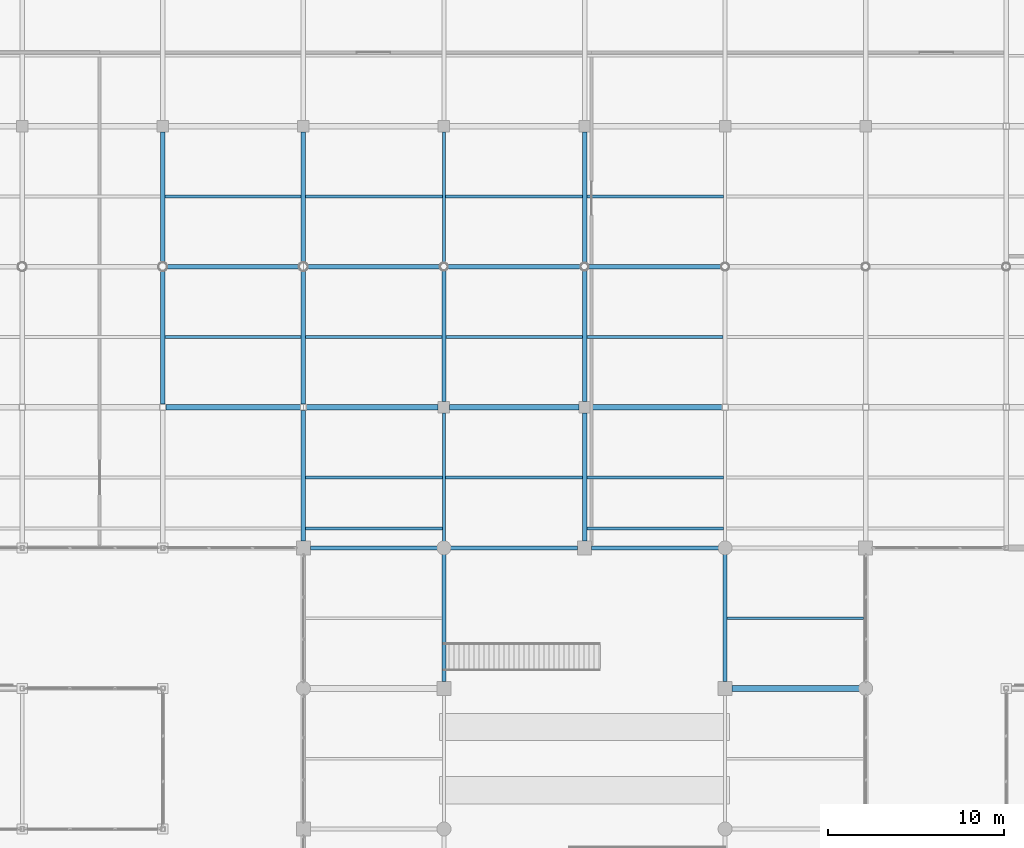
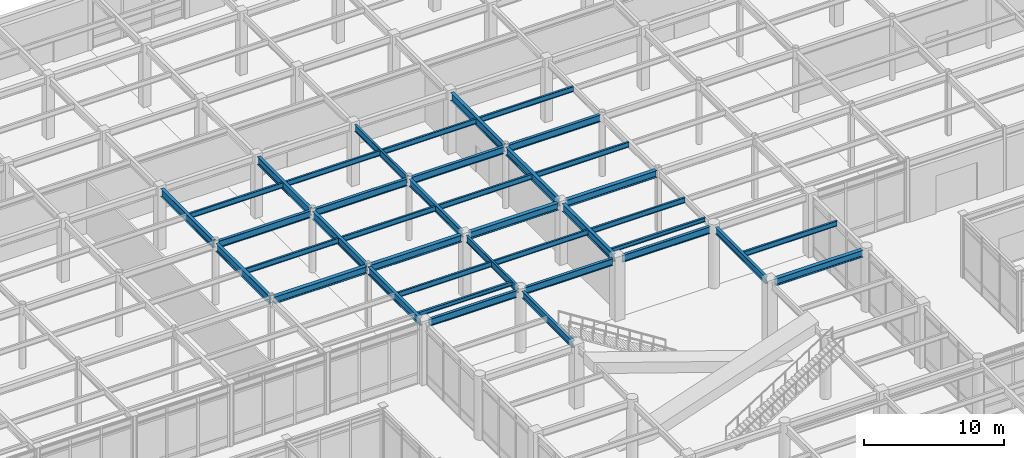
# One storey, part 69 of 128: 39 beams.
"""IFC4 building model written with IfcOpenShell, lengths in metres."""

from ifc_helpers import new_model, si_unit, direction, frame, origin, origin_2d, place, context, subcontext, project, spatial, i_section, extrude, material, material_profile, profile_set, type_object, element, save


model = new_model("IFC4")

# Units and contexts
model_context = context("Model", 3, precision=1e-05, world=origin(), true_north=direction((0.0, 1.0)))
body_context = subcontext(model_context, "Body", "Model", "MODEL_VIEW")
ifc_project = project(units=[si_unit("LENGTHUNIT", "METRE"), si_unit("AREAUNIT", "SQUARE_METRE"), si_unit("VOLUMEUNIT", "CUBIC_METRE"), si_unit("PLANEANGLEUNIT", "RADIAN"), si_unit("MASSUNIT", "GRAM", prefix="KILO")], contexts=[model_context])

# Site, building, storey
site_placement = place(None, origin())
site = spatial("IfcSite", under=ifc_project, at=site_placement, CompositionType="ELEMENT")
building_placement = place(site_placement, origin())
building = spatial("IfcBuilding", under=site, at=building_placement, Name="Solmirada Galleria", CompositionType="ELEMENT")
storey_placement = place(building_placement, origin())
storey = spatial("IfcBuildingStorey", under=building, at=storey_placement, Name="L00", CompositionType="ELEMENT", Elevation=0.0)

# Beams
ifc_material = material(Name="Steel S355 / ASTM A992 Grade 50", Category="steel")
ifc_material_profile_1 = material_profile(ifc_material, i_section(OverallWidth=0.323974609375, OverallDepth=0.611083984375, WebThickness=0.0126953125, FlangeThickness=0.01904296875, FilletRadius=0.014892578125, at=origin_2d()), Name="W24X104")
ifc_profile_set_1 = profile_set([ifc_material_profile_1], Name="Steel S355 / ASTM A992 Grade 50")
beam_type_1 = type_object("IfcBeamType", Name="BM-GIRD-W24A", PredefinedType="BEAM", material=ifc_profile_set_1)
beam_1_placement = place(storey_placement, frame((72.177978515625, 80.0, 5.074462890625), z_axis=(1.0, 0.0, 0.0), x_axis=(0.0, 1.0, 0.0)))
element("IfcBeam", 1, at=beam_1_placement, inside=storey, type_object=beam_type_1, Name="Primary beam L01 X(72..80, 80)", PredefinedType="BEAM", context=body_context, shape_type="SweptSolid", body=[
    extrude(i_section(OverallWidth=0.323974609375, OverallDepth=0.611083984375, WebThickness=0.0126953125, FlangeThickness=0.01904296875, FilletRadius=0.014892578125, at=origin_2d()), origin(), (0.0, 0.0, 1.0), 7.64404296875),
])
beam_2_placement = place(storey_placement, frame((80.177978515625, 80.0, 5.074462890625), z_axis=(1.0, 0.0, 0.0), x_axis=(0.0, 1.0, 0.0)))
element("IfcBeam", 2, at=beam_2_placement, inside=storey, type_object=beam_type_1, Name="Primary beam L01 X(80..88, 80)", PredefinedType="BEAM", context=body_context, shape_type="SweptSolid", body=[
    extrude(i_section(OverallWidth=0.323974609375, OverallDepth=0.611083984375, WebThickness=0.0126953125, FlangeThickness=0.01904296875, FilletRadius=0.014892578125, at=origin_2d()), origin(), (0.0, 0.0, 1.0), 7.4970703125),
])
beam_3_placement = place(storey_placement, frame((88.324951171875, 80.0, 5.074462890625), z_axis=(1.0, 0.0, 0.0), x_axis=(0.0, 1.0, 0.0)))
element("IfcBeam", 3, at=beam_3_placement, inside=storey, type_object=beam_type_1, Name="Primary beam L01 X(88..96, 80)", PredefinedType="BEAM", context=body_context, shape_type="SweptSolid", body=[
    extrude(i_section(OverallWidth=0.323974609375, OverallDepth=0.611083984375, WebThickness=0.0126953125, FlangeThickness=0.01904296875, FilletRadius=0.014892578125, at=origin_2d()), origin(), (0.0, 0.0, 1.0), 7.35009765625),
])
beam_4_placement = place(storey_placement, frame((96.324951171875, 80.0, 5.074462890625), z_axis=(1.0, 0.0, 0.0), x_axis=(0.0, 1.0, 0.0)))
element("IfcBeam", 4, at=beam_4_placement, inside=storey, type_object=beam_type_1, Name="Primary beam L01 X(96..104, 80)", PredefinedType="BEAM", context=body_context, shape_type="SweptSolid", body=[
    extrude(i_section(OverallWidth=0.323974609375, OverallDepth=0.611083984375, WebThickness=0.0126953125, FlangeThickness=0.01904296875, FilletRadius=0.014892578125, at=origin_2d()), origin(), (0.0, 0.0, 1.0), 7.4970703125),
])
beam_5_placement = place(storey_placement, frame((104.39990234375, 64.0, 5.074462890625), z_axis=(1.0, 0.0, 0.0), x_axis=(0.0, 1.0, 0.0)))
element("IfcBeam", 5, at=beam_5_placement, inside=storey, type_object=beam_type_1, Name="Primary beam L01 X(104..112, 64)", PredefinedType="BEAM", context=body_context, shape_type="SweptSolid", body=[
    extrude(i_section(OverallWidth=0.323974609375, OverallDepth=0.611083984375, WebThickness=0.0126953125, FlangeThickness=0.01904296875, FilletRadius=0.014892578125, at=origin_2d()), origin(), (0.0, 0.0, 1.0), 7.26416015625),
])
ifc_material_profile_2 = material_profile(ifc_material, i_section(OverallWidth=0.22900390625, OverallDepth=0.612060546875, WebThickness=0.011962890625, FlangeThickness=0.01953125, FilletRadius=0.014892578125, at=origin_2d()), Name="W24X84")
ifc_profile_set_2 = profile_set([ifc_material_profile_2], Name="Steel S355 / ASTM A992 Grade 50")
beam_type_2 = type_object("IfcBeamType", Name="BM-GIRD-W24B", PredefinedType="BEAM", material=ifc_profile_set_2)
beam_6_placement = place(storey_placement, frame((72.21337890625, 88.0, 5.073974609375), z_axis=(1.0, 0.0, 0.0), x_axis=(0.0, 1.0, 0.0)))
element("IfcBeam", 6, at=beam_6_placement, inside=storey, type_object=beam_type_2, Name="Primary beam L01 X(72..80, 88)", PredefinedType="BEAM", context=body_context, shape_type="SweptSolid", body=[
    extrude(i_section(OverallWidth=0.22900390625, OverallDepth=0.612060546875, WebThickness=0.011962890625, FlangeThickness=0.01953125, FilletRadius=0.014892578125, at=origin_2d()), origin(), (0.0, 0.0, 1.0), 7.5732421875),
])
beam_7_placement = place(storey_placement, frame((80.39990234375, 72.0, 5.053955078125), z_axis=(1.0, 0.0, 0.0), x_axis=(0.0, 1.0, 0.0)))
element("IfcBeam", 7, at=beam_7_placement, inside=storey, type_object=beam_type_2, Name="Primary beam L01 X(80..88, 72)", PredefinedType="BEAM", context=body_context, shape_type="SweptSolid", body=[
    extrude(i_section(OverallWidth=0.22900390625, OverallDepth=0.612060546875, WebThickness=0.011962890625, FlangeThickness=0.01953125, FilletRadius=0.014892578125, at=origin_2d()), origin(), (0.0, 0.0, 1.0), 7.26416015625),
])
beam_8_placement = place(storey_placement, frame((80.21337890625, 88.0, 5.073974609375), z_axis=(1.0, 0.0, 0.0), x_axis=(0.0, 1.0, 0.0)))
element("IfcBeam", 8, at=beam_8_placement, inside=storey, type_object=beam_type_2, Name="Primary beam L01 X(80..88, 88)", PredefinedType="BEAM", context=body_context, shape_type="SweptSolid", body=[
    extrude(i_section(OverallWidth=0.22900390625, OverallDepth=0.612060546875, WebThickness=0.011962890625, FlangeThickness=0.01953125, FilletRadius=0.014892578125, at=origin_2d()), origin(), (0.0, 0.0, 1.0), 7.5947265625),
])
beam_9_placement = place(storey_placement, frame((88.3359375, 72.0, 5.073974609375), z_axis=(1.0, 0.0, 0.0), x_axis=(0.0, 1.0, 0.0)))
element("IfcBeam", 9, at=beam_9_placement, inside=storey, type_object=beam_type_2, Name="Primary beam L01 X(88..96, 72)", PredefinedType="BEAM", context=body_context, shape_type="SweptSolid", body=[
    extrude(i_section(OverallWidth=0.22900390625, OverallDepth=0.612060546875, WebThickness=0.011962890625, FlangeThickness=0.01953125, FilletRadius=0.014892578125, at=origin_2d()), origin(), (0.0, 0.0, 1.0), 7.26416015625),
])
beam_10_placement = place(storey_placement, frame((88.19189453125, 88.0, 5.073974609375), z_axis=(1.0, 0.0, 0.0), x_axis=(0.0, 1.0, 0.0)))
element("IfcBeam", 10, at=beam_10_placement, inside=storey, type_object=beam_type_2, Name="Primary beam L01 X(88..96, 88)", PredefinedType="BEAM", context=body_context, shape_type="SweptSolid", body=[
    extrude(i_section(OverallWidth=0.22900390625, OverallDepth=0.612060546875, WebThickness=0.011962890625, FlangeThickness=0.01953125, FilletRadius=0.014892578125, at=origin_2d()), origin(), (0.0, 0.0, 1.0), 7.6162109375),
])
beam_11_placement = place(storey_placement, frame((96.39990234375, 72.0, 5.053955078125), z_axis=(1.0, 0.0, 0.0), x_axis=(0.0, 1.0, 0.0)))
element("IfcBeam", 11, at=beam_11_placement, inside=storey, type_object=beam_type_2, Name="Primary beam L01 X(96..104, 72)", PredefinedType="BEAM", context=body_context, shape_type="SweptSolid", body=[
    extrude(i_section(OverallWidth=0.22900390625, OverallDepth=0.612060546875, WebThickness=0.011962890625, FlangeThickness=0.01953125, FilletRadius=0.014892578125, at=origin_2d()), origin(), (0.0, 0.0, 1.0), 7.26416015625),
])
beam_12_placement = place(storey_placement, frame((96.19189453125, 88.0, 5.073974609375), z_axis=(1.0, 0.0, 0.0), x_axis=(0.0, 1.0, 0.0)))
element("IfcBeam", 12, at=beam_12_placement, inside=storey, type_object=beam_type_2, Name="Primary beam L01 X(96..104, 88)", PredefinedType="BEAM", context=body_context, shape_type="SweptSolid", body=[
    extrude(i_section(OverallWidth=0.22900390625, OverallDepth=0.612060546875, WebThickness=0.011962890625, FlangeThickness=0.01953125, FilletRadius=0.014892578125, at=origin_2d()), origin(), (0.0, 0.0, 1.0), 7.6162109375),
])
ifc_material_profile_3 = material_profile(ifc_material, i_section(OverallWidth=0.22802734375, OverallDepth=0.60302734375, WebThickness=0.010498046875, FlangeThickness=0.014892578125, FilletRadius=0.014892578125, at=origin_2d()), Name="W24X68")
ifc_profile_set_3 = profile_set([ifc_material_profile_3], Name="Steel S355 / ASTM A992 Grade 50")
beam_type_3 = type_object("IfcBeamType", Name="BM-GIRD-W24C", PredefinedType="BEAM", material=ifc_profile_set_3)
beam_13_placement = place(storey_placement, frame((88.0, 64.39990234375, 5.07861328125), z_axis=(0.0, 1.0, 0.0), x_axis=(-1.0, 0.0, 0.0)))
element("IfcBeam", 13, at=beam_13_placement, inside=storey, type_object=beam_type_3, Name="Primary girder L01 Y(88, 64..72)", PredefinedType="BEAM", context=body_context, shape_type="SweptSolid", body=[
    extrude(i_section(OverallWidth=0.22802734375, OverallDepth=0.60302734375, WebThickness=0.010498046875, FlangeThickness=0.014892578125, FilletRadius=0.014892578125, at=origin_2d()), origin(), (0.0, 0.0, 1.0), 7.26416015625),
])
beam_14_placement = place(storey_placement, frame((88.0, 80.324951171875, 5.07861328125), z_axis=(0.0, 1.0, 0.0), x_axis=(-1.0, 0.0, 0.0)))
element("IfcBeam", 14, at=beam_14_placement, inside=storey, type_object=beam_type_3, Name="Primary girder L01 Y(88, 80..88)", PredefinedType="BEAM", context=body_context, shape_type="SweptSolid", body=[
    extrude(i_section(OverallWidth=0.22802734375, OverallDepth=0.60302734375, WebThickness=0.010498046875, FlangeThickness=0.014892578125, FilletRadius=0.014892578125, at=origin_2d()), origin(), (0.0, 0.0, 1.0), 7.483154296875),
])
beam_15_placement = place(storey_placement, frame((104.0, 64.39990234375, 5.07861328125), z_axis=(0.0, 1.0, 0.0), x_axis=(-1.0, 0.0, 0.0)))
element("IfcBeam", 15, at=beam_15_placement, inside=storey, type_object=beam_type_3, Name="Primary girder L01 Y(104, 64..72)", PredefinedType="BEAM", context=body_context, shape_type="SweptSolid", body=[
    extrude(i_section(OverallWidth=0.22802734375, OverallDepth=0.60302734375, WebThickness=0.010498046875, FlangeThickness=0.014892578125, FilletRadius=0.014892578125, at=origin_2d()), origin(), (0.0, 0.0, 1.0), 7.26416015625),
])
ifc_material_profile_4 = material_profile(ifc_material, i_section(OverallWidth=0.177978515625, OverallDepth=0.59912109375, WebThickness=0.010009765625, FlangeThickness=0.0126953125, FilletRadius=0.013916015625, at=origin_2d()), Name="W24X55")
ifc_profile_set_4 = profile_set([ifc_material_profile_4], Name="Steel S355 / ASTM A992 Grade 50")
beam_type_4 = type_object("IfcBeamType", Name="BM-GIRD-W24D", PredefinedType="BEAM", material=ifc_profile_set_4)
beam_16_placement = place(storey_placement, frame((88.0, 72.3359375, 5.060546875), z_axis=(0.0, 1.0, 0.0), x_axis=(-1.0, 0.0, 0.0)))
element("IfcBeam", 16, at=beam_16_placement, inside=storey, type_object=beam_type_4, Name="Primary girder L01 Y(88, 72..80)", PredefinedType="BEAM", context=body_context, shape_type="SweptSolid", body=[
    extrude(i_section(OverallWidth=0.177978515625, OverallDepth=0.59912109375, WebThickness=0.010009765625, FlangeThickness=0.0126953125, FilletRadius=0.013916015625, at=origin_2d()), origin(), (0.0, 0.0, 1.0), 7.339111328125),
])
beam_17_placement = place(storey_placement, frame((88.0, 88.19189453125, 5.08056640625), z_axis=(0.0, 1.0, 0.0), x_axis=(-1.0, 0.0, 0.0)))
element("IfcBeam", 17, at=beam_17_placement, inside=storey, type_object=beam_type_4, Name="Primary girder L01 Y(88, 88..96)", PredefinedType="BEAM", context=body_context, shape_type="SweptSolid", body=[
    extrude(i_section(OverallWidth=0.177978515625, OverallDepth=0.59912109375, WebThickness=0.010009765625, FlangeThickness=0.0126953125, FilletRadius=0.013916015625, at=origin_2d()), origin(), (0.0, 0.0, 1.0), 7.483154296875),
])
ifc_material_profile_5 = material_profile(ifc_material, i_section(OverallWidth=0.256103515625, OverallDepth=0.693115234375, WebThickness=0.014404296875, FlangeThickness=0.023681640625, FilletRadius=0.01806640625, at=origin_2d()), Name="W27X114")
ifc_profile_set_5 = profile_set([ifc_material_profile_5], Name="Steel S355 / ASTM A992 Grade 50")
beam_type_5 = type_object("IfcBeamType", Name="BM-GIRD-W27A", PredefinedType="BEAM", material=ifc_profile_set_5)
beam_18_placement = place(storey_placement, frame((72.0, 80.177978515625, 5.033447265625), z_axis=(0.0, 1.0, 0.0), x_axis=(-1.0, 0.0, 0.0)))
element("IfcBeam", 18, at=beam_18_placement, inside=storey, type_object=beam_type_5, Name="Primary girder L01 Y(72, 80..88)", PredefinedType="BEAM", context=body_context, shape_type="SweptSolid", body=[
    extrude(i_section(OverallWidth=0.256103515625, OverallDepth=0.693115234375, WebThickness=0.014404296875, FlangeThickness=0.023681640625, FilletRadius=0.01806640625, at=origin_2d()), origin(), (0.0, 0.0, 1.0), 7.608642578125),
])
beam_19_placement = place(storey_placement, frame((72.0, 88.21337890625, 5.033447265625), z_axis=(0.0, 1.0, 0.0), x_axis=(-1.0, 0.0, 0.0)))
element("IfcBeam", 19, at=beam_19_placement, inside=storey, type_object=beam_type_5, Name="Primary girder L01 Y(72, 88..96)", PredefinedType="BEAM", context=body_context, shape_type="SweptSolid", body=[
    extrude(i_section(OverallWidth=0.256103515625, OverallDepth=0.693115234375, WebThickness=0.014404296875, FlangeThickness=0.023681640625, FilletRadius=0.01806640625, at=origin_2d()), origin(), (0.0, 0.0, 1.0), 7.461669921875),
])
beam_20_placement = place(storey_placement, frame((96.0, 72.39990234375, 5.013427734375), z_axis=(0.0, 1.0, 0.0), x_axis=(-1.0, 0.0, 0.0)))
element("IfcBeam", 20, at=beam_20_placement, inside=storey, type_object=beam_type_5, Name="Primary girder L01 Y(96, 72..80)", PredefinedType="BEAM", context=body_context, shape_type="SweptSolid", body=[
    extrude(i_section(OverallWidth=0.256103515625, OverallDepth=0.693115234375, WebThickness=0.014404296875, FlangeThickness=0.023681640625, FilletRadius=0.01806640625, at=origin_2d()), origin(), (0.0, 0.0, 1.0), 7.275146484375),
])
for number, where, z_axis, x_axis, name in (
    (21, (96.0, 80.324951171875, 5.033447265625), (0.0, 1.0, 0.0), (-1.0, 0.0, 0.0), "Primary girder L01 Y(96, 80..88)"),
    (22, (96.0, 88.19189453125, 5.033447265625), (0.0, 1.0, 0.0), (-1.0, 0.0, 0.0), "Primary girder L01 Y(96, 88..96)"),
):
    element("IfcBeam", number, at=place(storey_placement, frame(where, z_axis=z_axis, x_axis=x_axis)), inside=storey, type_object=beam_type_5, Name=name, PredefinedType="BEAM", context=body_context, shape_type="SweptSolid", body=[
        extrude(i_section(OverallWidth=0.256103515625, OverallDepth=0.693115234375, WebThickness=0.014404296875, FlangeThickness=0.023681640625, FilletRadius=0.01806640625, at=origin_2d()), origin(), (0.0, 0.0, 1.0), 7.483154296875),
    ])
ifc_material_profile_6 = material_profile(ifc_material, i_section(OverallWidth=0.25390625, OverallDepth=0.68408203125, WebThickness=0.012451171875, FlangeThickness=0.018798828125, FilletRadius=0.01708984375, at=origin_2d()), Name="W27X94")
ifc_profile_set_6 = profile_set([ifc_material_profile_6], Name="Steel S355 / ASTM A992 Grade 50")
beam_type_6 = type_object("IfcBeamType", Name="BM-GIRD-W27B", PredefinedType="BEAM", material=ifc_profile_set_6)
beam_21_placement = place(storey_placement, frame((80.0, 72.39990234375, 5.01806640625), z_axis=(0.0, 1.0, 0.0), x_axis=(-1.0, 0.0, 0.0)))
element("IfcBeam", 23, at=beam_21_placement, inside=storey, type_object=beam_type_6, Name="Primary girder L01 Y(80, 72..80)", PredefinedType="BEAM", context=body_context, shape_type="SweptSolid", body=[
    extrude(i_section(OverallWidth=0.25390625, OverallDepth=0.68408203125, WebThickness=0.012451171875, FlangeThickness=0.018798828125, FilletRadius=0.01708984375, at=origin_2d()), origin(), (0.0, 0.0, 1.0), 7.422119140625),
])
beam_22_placement = place(storey_placement, frame((80.0, 80.177978515625, 5.0380859375), z_axis=(0.0, 1.0, 0.0), x_axis=(-1.0, 0.0, 0.0)))
element("IfcBeam", 24, at=beam_22_placement, inside=storey, type_object=beam_type_6, Name="Primary girder L01 Y(80, 80..88)", PredefinedType="BEAM", context=body_context, shape_type="SweptSolid", body=[
    extrude(i_section(OverallWidth=0.25390625, OverallDepth=0.68408203125, WebThickness=0.012451171875, FlangeThickness=0.018798828125, FilletRadius=0.01708984375, at=origin_2d()), origin(), (0.0, 0.0, 1.0), 7.608642578125),
])
beam_23_placement = place(storey_placement, frame((80.0, 88.21337890625, 5.0380859375), z_axis=(0.0, 1.0, 0.0), x_axis=(-1.0, 0.0, 0.0)))
element("IfcBeam", 25, at=beam_23_placement, inside=storey, type_object=beam_type_6, Name="Primary girder L01 Y(80, 88..96)", PredefinedType="BEAM", context=body_context, shape_type="SweptSolid", body=[
    extrude(i_section(OverallWidth=0.25390625, OverallDepth=0.68408203125, WebThickness=0.012451171875, FlangeThickness=0.018798828125, FilletRadius=0.01708984375, at=origin_2d()), origin(), (0.0, 0.0, 1.0), 7.461669921875),
])
ifc_material_profile_7 = material_profile(ifc_material, i_section(OverallWidth=0.1708984375, OverallDepth=0.35205078125, WebThickness=0.0068359375, FlangeThickness=0.009765625, FilletRadius=0.010986328125, at=origin_2d()), Name="W14X30")
ifc_profile_set_7 = profile_set([ifc_material_profile_7], Name="Steel S355 / ASTM A992 Grade 50")
beam_type_7 = type_object("IfcBeamType", Name="BM-JST-W14B", PredefinedType="JOIST", material=ifc_profile_set_7)
beam_24_placement = place(storey_placement, frame((80.126953125, 73.10009765625, 5.18408203125), z_axis=(1.0, 0.0, 0.0), x_axis=(0.0, 1.0, 0.0)))
element("IfcBeam", 26, at=beam_24_placement, inside=storey, type_object=beam_type_7, Name="Terrace deck joist L01-TERR-NW X=80..88 (1)", PredefinedType="JOIST", context=body_context, shape_type="SweptSolid", body=[
    extrude(i_section(OverallWidth=0.1708984375, OverallDepth=0.35205078125, WebThickness=0.0068359375, FlangeThickness=0.009765625, FilletRadius=0.010986328125, at=origin_2d()), origin(), (0.0, 0.0, 1.0), 7.783935546875),
])
beam_25_placement = place(storey_placement, frame((96.1279296875, 73.10009765625, 5.18408203125), z_axis=(1.0, 0.0, 0.0), x_axis=(0.0, 1.0, 0.0)))
element("IfcBeam", 27, at=beam_25_placement, inside=storey, type_object=beam_type_7, Name="Terrace deck joist L01-TERR-NE X=96..104 (1)", PredefinedType="JOIST", context=body_context, shape_type="SweptSolid", body=[
    extrude(i_section(OverallWidth=0.1708984375, OverallDepth=0.35205078125, WebThickness=0.0068359375, FlangeThickness=0.009765625, FilletRadius=0.010986328125, at=origin_2d()), origin(), (0.0, 0.0, 1.0), 7.782958984375),
])
ifc_material_profile_8 = material_profile(ifc_material, i_section(OverallWidth=0.153076171875, OverallDepth=0.455078125, WebThickness=0.008056640625, FlangeThickness=0.01318359375, FilletRadius=0.011962890625, at=origin_2d()), Name="W18X40")
ifc_profile_set_8 = profile_set([ifc_material_profile_8], Name="Steel S355 / ASTM A992 Grade 50")
beam_type_8 = type_object("IfcBeamType", Name="BM-JST-W18A", PredefinedType="JOIST", material=ifc_profile_set_8)
for number, where, z_axis, x_axis, name in (
    (28, (72.1279296875, 84.0, 5.152587890625), (1.0, 0.0, 0.0), (0.0, 1.0, 0.0), "Composite floor joist L01 (72..80, 84.0)"),
    (29, (72.1279296875, 92.0, 5.152587890625), (1.0, 0.0, 0.0), (0.0, 1.0, 0.0), "Composite floor joist L01 (72..80, 92.0)"),
):
    element("IfcBeam", number, at=place(storey_placement, frame(where, z_axis=z_axis, x_axis=x_axis)), inside=storey, type_object=beam_type_8, Name=name, PredefinedType="JOIST", context=body_context, shape_type="SweptSolid", body=[
        extrude(i_section(OverallWidth=0.153076171875, OverallDepth=0.455078125, WebThickness=0.008056640625, FlangeThickness=0.01318359375, FilletRadius=0.011962890625, at=origin_2d()), origin(), (0.0, 0.0, 1.0), 7.7451171875),
    ])
beam_26_placement = place(storey_placement, frame((80.126953125, 76.0, 5.132568359375), z_axis=(1.0, 0.0, 0.0), x_axis=(0.0, 1.0, 0.0)))
element("IfcBeam", 30, at=beam_26_placement, inside=storey, type_object=beam_type_8, Name="Composite floor joist L01 (80..88, 76.0)", PredefinedType="JOIST", context=body_context, shape_type="SweptSolid", body=[
    extrude(i_section(OverallWidth=0.153076171875, OverallDepth=0.455078125, WebThickness=0.008056640625, FlangeThickness=0.01318359375, FilletRadius=0.011962890625, at=origin_2d()), origin(), (0.0, 0.0, 1.0), 7.783935546875),
])
beam_27_placement = place(storey_placement, frame((80.126953125, 84.0, 5.152587890625), z_axis=(1.0, 0.0, 0.0), x_axis=(0.0, 1.0, 0.0)))
element("IfcBeam", 31, at=beam_27_placement, inside=storey, type_object=beam_type_8, Name="Composite floor joist L01 (80..88, 84.0)", PredefinedType="JOIST", context=body_context, shape_type="SweptSolid", body=[
    extrude(i_section(OverallWidth=0.153076171875, OverallDepth=0.455078125, WebThickness=0.008056640625, FlangeThickness=0.01318359375, FilletRadius=0.011962890625, at=origin_2d()), origin(), (0.0, 0.0, 1.0), 7.759033203125),
])
beam_28_placement = place(storey_placement, frame((80.126953125, 92.0, 5.152587890625), z_axis=(1.0, 0.0, 0.0), x_axis=(0.0, 1.0, 0.0)))
element("IfcBeam", 32, at=beam_28_placement, inside=storey, type_object=beam_type_8, Name="Composite floor joist L01 (80..88, 92.0)", PredefinedType="JOIST", context=body_context, shape_type="SweptSolid", body=[
    extrude(i_section(OverallWidth=0.153076171875, OverallDepth=0.455078125, WebThickness=0.008056640625, FlangeThickness=0.01318359375, FilletRadius=0.011962890625, at=origin_2d()), origin(), (0.0, 0.0, 1.0), 7.783935546875),
])
beam_29_placement = place(storey_placement, frame((88.089111328125, 76.0, 5.132568359375), z_axis=(1.0, 0.0, 0.0), x_axis=(0.0, 1.0, 0.0)))
element("IfcBeam", 33, at=beam_29_placement, inside=storey, type_object=beam_type_8, Name="Composite floor joist L01 (88..96, 76.0)", PredefinedType="JOIST", context=body_context, shape_type="SweptSolid", body=[
    extrude(i_section(OverallWidth=0.153076171875, OverallDepth=0.455078125, WebThickness=0.008056640625, FlangeThickness=0.01318359375, FilletRadius=0.011962890625, at=origin_2d()), origin(), (0.0, 0.0, 1.0), 7.782958984375),
])
beam_30_placement = place(storey_placement, frame((88.114013671875, 84.0, 5.152587890625), z_axis=(1.0, 0.0, 0.0), x_axis=(0.0, 1.0, 0.0)))
element("IfcBeam", 34, at=beam_30_placement, inside=storey, type_object=beam_type_8, Name="Composite floor joist L01 (88..96, 84.0)", PredefinedType="JOIST", context=body_context, shape_type="SweptSolid", body=[
    extrude(i_section(OverallWidth=0.153076171875, OverallDepth=0.455078125, WebThickness=0.008056640625, FlangeThickness=0.01318359375, FilletRadius=0.011962890625, at=origin_2d()), origin(), (0.0, 0.0, 1.0), 7.758056640625),
])
for number, where, z_axis, x_axis, name in (
    (35, (88.089111328125, 92.0, 5.152587890625), (1.0, 0.0, 0.0), (0.0, 1.0, 0.0), "Composite floor joist L01 (88..96, 92.0)"),
    (36, (96.1279296875, 76.0, 5.132568359375), (1.0, 0.0, 0.0), (0.0, 1.0, 0.0), "Composite floor joist L01 (96..104, 76.0)"),
):
    element("IfcBeam", number, at=place(storey_placement, frame(where, z_axis=z_axis, x_axis=x_axis)), inside=storey, type_object=beam_type_8, Name=name, PredefinedType="JOIST", context=body_context, shape_type="SweptSolid", body=[
        extrude(i_section(OverallWidth=0.153076171875, OverallDepth=0.455078125, WebThickness=0.008056640625, FlangeThickness=0.01318359375, FilletRadius=0.011962890625, at=origin_2d()), origin(), (0.0, 0.0, 1.0), 7.782958984375),
    ])
beam_31_placement = place(storey_placement, frame((96.1279296875, 84.0, 5.152587890625), z_axis=(1.0, 0.0, 0.0), x_axis=(0.0, 1.0, 0.0)))
element("IfcBeam", 37, at=beam_31_placement, inside=storey, type_object=beam_type_8, Name="Composite floor joist L01 (96..104, 84.0)", PredefinedType="JOIST", context=body_context, shape_type="SweptSolid", body=[
    extrude(i_section(OverallWidth=0.153076171875, OverallDepth=0.455078125, WebThickness=0.008056640625, FlangeThickness=0.01318359375, FilletRadius=0.011962890625, at=origin_2d()), origin(), (0.0, 0.0, 1.0), 7.758056640625),
])
beam_32_placement = place(storey_placement, frame((96.1279296875, 92.0, 5.152587890625), z_axis=(1.0, 0.0, 0.0), x_axis=(0.0, 1.0, 0.0)))
element("IfcBeam", 38, at=beam_32_placement, inside=storey, type_object=beam_type_8, Name="Composite floor joist L01 (96..104, 92.0)", PredefinedType="JOIST", context=body_context, shape_type="SweptSolid", body=[
    extrude(i_section(OverallWidth=0.153076171875, OverallDepth=0.455078125, WebThickness=0.008056640625, FlangeThickness=0.01318359375, FilletRadius=0.011962890625, at=origin_2d()), origin(), (0.0, 0.0, 1.0), 7.782958984375),
])
beam_33_placement = place(storey_placement, frame((104.114013671875, 68.0, 5.152587890625), z_axis=(1.0, 0.0, 0.0), x_axis=(0.0, 1.0, 0.0)))
element("IfcBeam", 39, at=beam_33_placement, inside=storey, type_object=beam_type_8, Name="Composite floor joist L01 (104..112, 68.0)", PredefinedType="JOIST", context=body_context, shape_type="SweptSolid", body=[
    extrude(i_section(OverallWidth=0.153076171875, OverallDepth=0.455078125, WebThickness=0.008056640625, FlangeThickness=0.01318359375, FilletRadius=0.011962890625, at=origin_2d()), origin(), (0.0, 0.0, 1.0), 7.759033203125),
])

save(model, "model.ifc")
